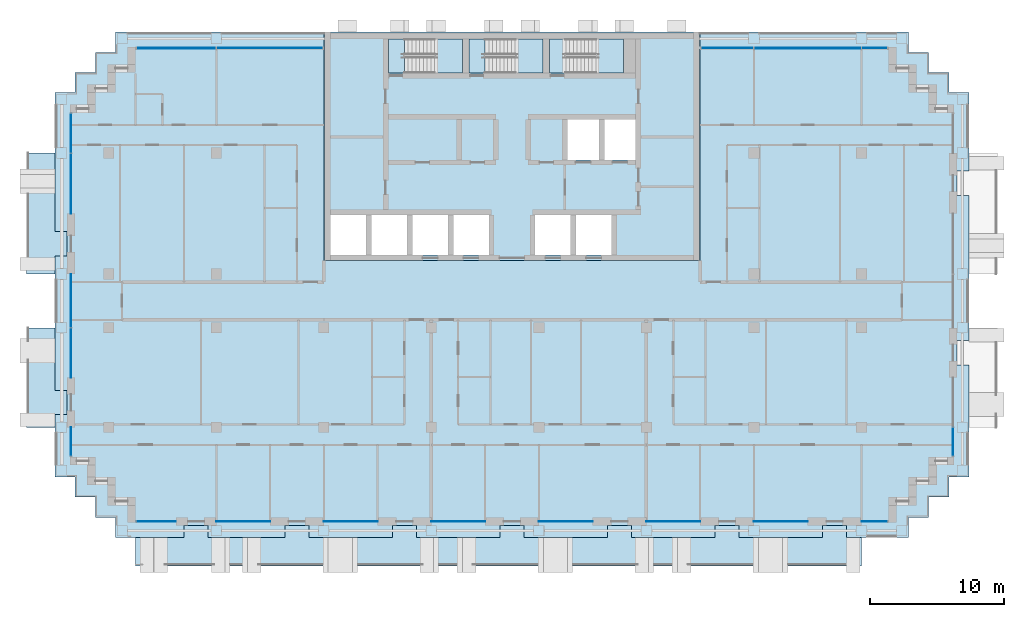
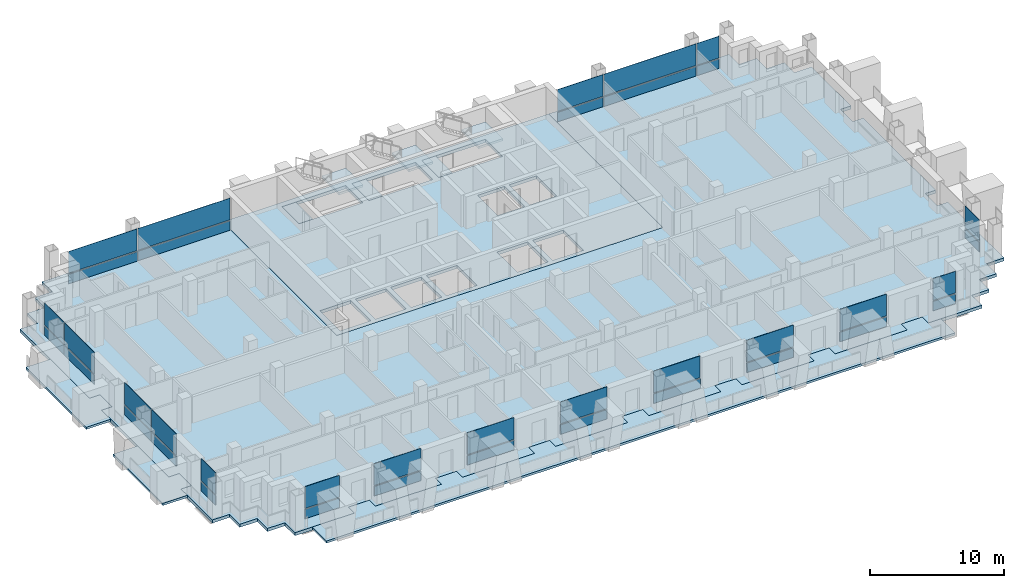
# One storey, part 6 of 16: 38 plates, 11 slabs, 17 elements without a shape of their own.
"""IFC4 building model written with IfcOpenShell, lengths in metres."""

from ifc_helpers import new_model, si_unit, direction, frame, origin, origin_2d, place, context, subcontext, project, spatial, polyline, rectangle, outline, extrude, material, layer, layer_set, type_object, element, aggregate, save


model = new_model("IFC4")

# Units and contexts
model_context = context("Model", 3, precision=1e-05, world=origin(), true_north=direction((0.0, 1.0)))
body_context = subcontext(model_context, "Body", "Model", "MODEL_VIEW")
ifc_project = project(units=[si_unit("LENGTHUNIT", "METRE"), si_unit("AREAUNIT", "SQUARE_METRE"), si_unit("VOLUMEUNIT", "CUBIC_METRE"), si_unit("PLANEANGLEUNIT", "RADIAN"), si_unit("MASSUNIT", "GRAM", prefix="KILO")], contexts=[model_context])

# Site, building, storey
site_placement = place(None, origin())
site = spatial("IfcSite", under=ifc_project, at=site_placement, CompositionType="ELEMENT")
building_placement = place(site_placement, origin())
building = spatial("IfcBuilding", under=site, at=building_placement, Name="Vidyagriha Tower", CompositionType="ELEMENT")
storey_placement = place(building_placement, frame((0.0, 0.0, 129.39990234375)))
storey = spatial("IfcBuildingStorey", under=building, at=storey_placement, Name="L33", CompositionType="ELEMENT", Elevation=129.39990234375)

# Curtain wall, plates
ifc_material_1 = material(Name="Aluminium and glass curtain wall", Category="aluminium")
curtain_wall_type = type_object("IfcCurtainWallType", Name="Dwelling skin unitised curtain wall", PredefinedType="USERDEFINED", material=ifc_material_1)
curtain_wall_1_placement = place(storey_placement, origin())
curtain_wall_1 = element("IfcCurtainWall", 1, at=curtain_wall_1_placement, inside=storey, type_object=curtain_wall_type, Name="CW1 dwelling skin", ObjectType="UNITISED", PredefinedType="USERDEFINED")
ifc_material_2 = material(Name="Glass dark ceramic-fritted spandrel", Category="glass")
ifc_layer_1 = layer(ifc_material_2, 0.0400390625)
ifc_layer_set_1 = layer_set([ifc_layer_1], Name="Glass dark ceramic-fritted spandrel")
plate_type_1 = type_object("IfcPlateType", Name="Ceramic-fritted spandrel panel", PredefinedType="CURTAIN_PANEL", material=ifc_layer_set_1)
plate_1_placement = place(storey_placement, frame((26.982421875, 18.800048828125, 0.0), z_axis=(0.0, 0.0, 1.0), x_axis=(-1.0, 0.0, 0.0)))
plate_1 = element("IfcPlate", 2, at=plate_1_placement, type_object=plate_type_1, Name="CW1 panel 1.1", PredefinedType="CURTAIN_PANEL", context=body_context, shape_type="SweptSolid", body=[
    extrude(rectangle(XDim=1.89501953125, YDim=0.0400390625, at=origin_2d()), origin(), (0.0, 0.0, 1.0), 0.85009765625),
])
plate_2_placement = place(storey_placement, frame((16.017578125, 18.800048828125, 0.0), z_axis=(0.0, 0.0, 1.0), x_axis=(-1.0, 0.0, 0.0)))
plate_2 = element("IfcPlate", 3, at=plate_2_placement, type_object=plate_type_1, Name="CW1 panel 3.1", PredefinedType="CURTAIN_PANEL", context=body_context, shape_type="SweptSolid", body=[
    extrude(rectangle(XDim=3.89501953125, YDim=0.0400390625, at=origin_2d()), origin(), (0.0, 0.0, 1.0), 0.85009765625),
])

# Curtain wall, plate
curtain_wall_2_placement = place(storey_placement, origin())
curtain_wall_2 = element("IfcCurtainWall", 4, at=curtain_wall_2_placement, inside=storey, type_object=curtain_wall_type, Name="CW1 dwelling skin", ObjectType="UNITISED", PredefinedType="USERDEFINED")
plate_3_placement = place(storey_placement, frame((-18.017578125, 18.800048828125, 0.0), z_axis=(0.0, 0.0, 1.0), x_axis=(-1.0, 0.0, 0.0)))
plate_3 = element("IfcPlate", 5, at=plate_3_placement, type_object=plate_type_1, Name="CW1 panel 1.1", PredefinedType="CURTAIN_PANEL", context=body_context, shape_type="SweptSolid", body=[
    extrude(rectangle(XDim=7.89501953125, YDim=0.0400390625, at=origin_2d()), origin(), (0.0, 0.0, 1.0), 0.85009765625),
])

# Curtain wall, plates
curtain_wall_3_placement = place(storey_placement, origin())
curtain_wall_3 = element("IfcCurtainWall", 6, at=curtain_wall_3_placement, inside=storey, type_object=curtain_wall_type, Name="CW1 dwelling skin", ObjectType="UNITISED", PredefinedType="USERDEFINED")
plate_4_placement = place(storey_placement, frame((-32.800048828125, 12.482421875, 0.0), z_axis=(0.0, 0.0, 1.0), x_axis=(0.0, -1.0, 0.0)))
plate_4 = element("IfcPlate", 7, at=plate_4_placement, type_object=plate_type_1, Name="CW1 panel 1.1", PredefinedType="CURTAIN_PANEL", context=body_context, shape_type="SweptSolid", body=[
    extrude(rectangle(XDim=2.89501953125, YDim=0.0400390625, at=origin_2d()), origin(), (0.0, 0.0, 1.0), 0.85009765625),
])
plate_5_placement = place(storey_placement, frame((-32.800048828125, 8.732421875, 0.0), z_axis=(0.0, 0.0, 1.0), x_axis=(0.0, -1.0, 0.0)))
plate_5 = element("IfcPlate", 8, at=plate_5_placement, type_object=plate_type_1, Name="CW1 panel 2.1", PredefinedType="CURTAIN_PANEL", context=body_context, shape_type="SweptSolid", body=[
    extrude(rectangle(XDim=4.465087890625, YDim=0.0400390625, at=origin_2d()), origin(), (0.0, 0.0, 1.0), 0.85009765625),
])

# Curtain wall, plate
curtain_wall_4_placement = place(storey_placement, origin())
curtain_wall_4 = element("IfcCurtainWall", 9, at=curtain_wall_4_placement, inside=storey, type_object=curtain_wall_type, Name="CW1 dwelling skin", ObjectType="UNITISED", PredefinedType="USERDEFINED")
plate_6_placement = place(storey_placement, frame((-32.800048828125, -10.465087890625, 0.0), z_axis=(0.0, 0.0, 1.0), x_axis=(0.0, -1.0, 0.0)))
plate_6 = element("IfcPlate", 10, at=plate_6_placement, type_object=plate_type_1, Name="CW1 panel 1.1", PredefinedType="CURTAIN_PANEL", context=body_context, shape_type="SweptSolid", body=[
    extrude(rectangle(XDim=2.1298828125, YDim=0.0400390625, at=origin_2d()), origin(), (0.0, 0.0, 1.0), 0.85009765625),
])

curtain_wall_5_placement = place(storey_placement, origin())
curtain_wall_5 = element("IfcCurtainWall", 11, at=curtain_wall_5_placement, inside=storey, type_object=curtain_wall_type, Name="CW1 dwelling skin", ObjectType="UNITISED", PredefinedType="USERDEFINED")
plate_7_placement = place(storey_placement, frame((-26.465087890625, -16.39990234375, 0.0)))
plate_7 = element("IfcPlate", 12, at=plate_7_placement, type_object=plate_type_1, Name="CW1 panel 1.1", PredefinedType="CURTAIN_PANEL", context=body_context, shape_type="SweptSolid", body=[
    extrude(rectangle(XDim=2.929931640625, YDim=0.0400390625, at=origin_2d()), origin(), (0.0, 0.0, 1.0), 0.85009765625),
])

curtain_wall_6_placement = place(storey_placement, origin())
curtain_wall_6 = element("IfcCurtainWall", 13, at=curtain_wall_6_placement, inside=storey, type_object=curtain_wall_type, Name="CW1 dwelling skin", ObjectType="UNITISED", PredefinedType="USERDEFINED")
plate_8_placement = place(storey_placement, frame((-12.0, -16.39990234375, 0.0)))
plate_8 = element("IfcPlate", 14, at=plate_8_placement, type_object=plate_type_1, Name="CW1 panel 1.1", PredefinedType="CURTAIN_PANEL", context=body_context, shape_type="SweptSolid", body=[
    extrude(rectangle(XDim=4.0, YDim=0.0400390625, at=origin_2d()), origin(), (0.0, 0.0, 1.0), 0.85009765625),
])

curtain_wall_7_placement = place(storey_placement, origin())
curtain_wall_7 = element("IfcCurtainWall", 15, at=curtain_wall_7_placement, inside=storey, type_object=curtain_wall_type, Name="CW1 dwelling skin", ObjectType="UNITISED", PredefinedType="USERDEFINED")
plate_9_placement = place(storey_placement, frame((4.0, -16.39990234375, 0.0)))
plate_9 = element("IfcPlate", 16, at=plate_9_placement, type_object=plate_type_1, Name="CW1 panel 1.1", PredefinedType="CURTAIN_PANEL", context=body_context, shape_type="SweptSolid", body=[
    extrude(rectangle(XDim=4.0, YDim=0.0400390625, at=origin_2d()), origin(), (0.0, 0.0, 1.0), 0.85009765625),
])

curtain_wall_8_placement = place(storey_placement, origin())
curtain_wall_8 = element("IfcCurtainWall", 17, at=curtain_wall_8_placement, inside=storey, type_object=curtain_wall_type, Name="CW1 dwelling skin", ObjectType="UNITISED", PredefinedType="USERDEFINED")
plate_10_placement = place(storey_placement, frame((20.0, -16.39990234375, 0.0)))
plate_10 = element("IfcPlate", 18, at=plate_10_placement, type_object=plate_type_1, Name="CW1 panel 1.1", PredefinedType="CURTAIN_PANEL", context=body_context, shape_type="SweptSolid", body=[
    extrude(rectangle(XDim=4.0, YDim=0.0400390625, at=origin_2d()), origin(), (0.0, 0.0, 1.0), 0.85009765625),
])

curtain_wall_9_placement = place(storey_placement, origin())
curtain_wall_9 = element("IfcCurtainWall", 19, at=curtain_wall_9_placement, inside=storey, type_object=curtain_wall_type, Name="CW1 dwelling skin", ObjectType="UNITISED", PredefinedType="USERDEFINED")
plate_11_placement = place(storey_placement, frame((26.965087890625, -16.39990234375, 0.0)))
plate_11 = element("IfcPlate", 20, at=plate_11_placement, type_object=plate_type_1, Name="CW1 panel 1.1", PredefinedType="CURTAIN_PANEL", context=body_context, shape_type="SweptSolid", body=[
    extrude(rectangle(XDim=1.929931640625, YDim=0.0400390625, at=origin_2d()), origin(), (0.0, 0.0, 1.0), 0.85009765625),
])

curtain_wall_10_placement = place(storey_placement, origin())
curtain_wall_10 = element("IfcCurtainWall", 21, at=curtain_wall_10_placement, inside=storey, type_object=curtain_wall_type, Name="CW1 dwelling skin", ObjectType="UNITISED", PredefinedType="USERDEFINED")
plate_12_placement = place(storey_placement, frame((32.800048828125, -10.482421875, 0.0), z_axis=(0.0, 0.0, 1.0), x_axis=(0.0, 1.0, 0.0)))
plate_12 = element("IfcPlate", 22, at=plate_12_placement, type_object=plate_type_1, Name="CW1 panel 1.1", PredefinedType="CURTAIN_PANEL", context=body_context, shape_type="SweptSolid", body=[
    extrude(rectangle(XDim=2.094970703125, YDim=0.0400390625, at=origin_2d()), origin(), (0.0, 0.0, 1.0), 0.85009765625),
])

# Slab
ifc_material_3 = material(Name="Concrete C60/75", Category="concrete")
ifc_layer_2 = layer(ifc_material_3, 0.280029296875)
ifc_layer_set_2 = layer_set([ifc_layer_2], Name="Concrete C60/75")
slab_type_1 = type_object("IfcSlabType", Name="Core floor slab 280 mm", PredefinedType="FLOOR", material=ifc_layer_set_2)
slab_1_placement = place(storey_placement, frame((0.0, 0.0, -0.27978515625)))
element("IfcSlab", 23, at=slab_1_placement, inside=storey, type_object=slab_type_1, Name="L33 core floor 1", PredefinedType="FLOOR", context=body_context, shape_type="SweptSolid", body=[
    extrude(outline(polyline([(-14.0, 3.0), (-14.0, 20.0), (14.0, 20.0), (14.0, 3.0), (-14.0, 3.0)]), holes=[polyline([(9.199951171875, 13.5), (6.86669921875, 13.5), (6.86669921875, 10.5), (9.199951171875, 10.5), (9.199951171875, 13.5)]), polyline([(4.0, 19.5), (2.800048828125, 19.5), (2.800048828125, 16.949951171875), (4.0, 16.949951171875), (8.300048828125, 16.949951171875), (8.300048828125, 19.5), (4.0, 19.5)]), polyline([(7.4111328125, 6.39990234375), (4.7666015625, 6.39990234375), (4.7666015625, 3.39990234375), (7.4111328125, 3.39990234375), (7.4111328125, 6.39990234375)]), polyline([(6.466796875, 13.5), (4.13330078125, 13.5), (4.13330078125, 10.5), (6.466796875, 10.5), (6.466796875, 13.5)]), polyline([(1.72216796875, 6.39990234375), (1.72216796875, 3.39990234375), (4.36669921875, 3.39990234375), (4.36669921875, 6.39990234375), (1.72216796875, 6.39990234375)]), polyline([(-2.0, 16.949951171875), (2.300048828125, 16.949951171875), (2.300048828125, 19.5), (-2.0, 19.5), (-3.199951171875, 19.5), (-3.199951171875, 16.949951171875), (-2.0, 16.949951171875)]), polyline([(-1.72216796875, 6.39990234375), (-4.36669921875, 6.39990234375), (-4.36669921875, 3.39990234375), (-1.72216796875, 3.39990234375), (-1.72216796875, 6.39990234375)]), polyline([(-8.0, 19.5), (-9.199951171875, 19.5), (-9.199951171875, 16.949951171875), (-8.0, 16.949951171875), (-3.699951171875, 16.949951171875), (-3.699951171875, 19.5), (-8.0, 19.5)]), polyline([(-4.7666015625, 6.39990234375), (-7.4111328125, 6.39990234375), (-7.4111328125, 3.39990234375), (-4.7666015625, 3.39990234375), (-4.7666015625, 6.39990234375)]), polyline([(-7.81103515625, 6.39990234375), (-10.45556640625, 6.39990234375), (-10.45556640625, 3.39990234375), (-7.81103515625, 3.39990234375), (-7.81103515625, 6.39990234375)]), polyline([(-13.5, 6.39990234375), (-13.5, 3.39990234375), (-10.855712890625, 3.39990234375), (-10.855712890625, 6.39990234375), (-13.5, 6.39990234375)])]), origin(), (0.0, 0.0, 1.0), 0.27978515625),
])

# Plate
ifc_material_4 = material(Name="Glass dark ceramic-fritted", Category="glass")
ifc_layer_3 = layer(ifc_material_4, 0.028076171875)
ifc_layer_set_3 = layer_set([ifc_layer_3], Name="Glass dark ceramic-fritted")
plate_type_2 = type_object("IfcPlateType", Name="Dark ceramic-fritted vision glass panel", PredefinedType="CURTAIN_PANEL", material=ifc_layer_set_3)
plate_13_placement = place(storey_placement, frame((26.982421875, 18.800048828125, 0.9501953125), z_axis=(0.0, 0.0, 1.0), x_axis=(-1.0, 0.0, 0.0)))
plate_13 = element("IfcPlate", 24, at=plate_13_placement, type_object=plate_type_2, Name="CW1 panel 1.2", PredefinedType="CURTAIN_PANEL", context=body_context, shape_type="SweptSolid", body=[
    extrude(rectangle(XDim=1.89501953125, YDim=0.028076171875, at=origin_2d()), origin(), (0.0, 0.0, 1.0), 1.969970703125),
])

plate_14_placement = place(storey_placement, frame((22.0, 18.800048828125, 0.9501953125), z_axis=(0.0, 0.0, 1.0), x_axis=(-1.0, 0.0, 0.0)))
plate_14 = element("IfcPlate", 25, at=plate_14_placement, type_object=plate_type_2, Name="CW1 panel 2.2", PredefinedType="CURTAIN_PANEL", context=body_context, shape_type="SweptSolid", body=[
    extrude(rectangle(XDim=7.929931640625, YDim=0.028076171875, at=origin_2d()), origin(), (0.0, 0.0, 1.0), 1.969970703125),
])

plate_15_placement = place(storey_placement, frame((16.017578125, 18.800048828125, 0.9501953125), z_axis=(0.0, 0.0, 1.0), x_axis=(-1.0, 0.0, 0.0)))
plate_15 = element("IfcPlate", 26, at=plate_15_placement, type_object=plate_type_2, Name="CW1 panel 3.2", PredefinedType="CURTAIN_PANEL", context=body_context, shape_type="SweptSolid", body=[
    extrude(rectangle(XDim=3.89501953125, YDim=0.028076171875, at=origin_2d()), origin(), (0.0, 0.0, 1.0), 1.969970703125),
])

plate_16_placement = place(storey_placement, frame((-18.017578125, 18.800048828125, 0.9501953125), z_axis=(0.0, 0.0, 1.0), x_axis=(-1.0, 0.0, 0.0)))
plate_16 = element("IfcPlate", 27, at=plate_16_placement, type_object=plate_type_2, Name="CW1 panel 1.2", PredefinedType="CURTAIN_PANEL", context=body_context, shape_type="SweptSolid", body=[
    extrude(rectangle(XDim=7.89501953125, YDim=0.028076171875, at=origin_2d()), origin(), (0.0, 0.0, 1.0), 1.969970703125),
])

plate_17_placement = place(storey_placement, frame((-24.982421875, 18.800048828125, 0.9501953125), z_axis=(0.0, 0.0, 1.0), x_axis=(-1.0, 0.0, 0.0)))
plate_17 = element("IfcPlate", 28, at=plate_17_placement, type_object=plate_type_2, Name="CW1 panel 2.2", PredefinedType="CURTAIN_PANEL", context=body_context, shape_type="SweptSolid", body=[
    extrude(rectangle(XDim=5.89501953125, YDim=0.028076171875, at=origin_2d()), origin(), (0.0, 0.0, 1.0), 1.969970703125),
])

plate_18_placement = place(storey_placement, frame((-32.800048828125, 12.482421875, 0.9501953125), z_axis=(0.0, 0.0, 1.0), x_axis=(0.0, -1.0, 0.0)))
plate_18 = element("IfcPlate", 29, at=plate_18_placement, type_object=plate_type_2, Name="CW1 panel 1.2", PredefinedType="CURTAIN_PANEL", context=body_context, shape_type="SweptSolid", body=[
    extrude(rectangle(XDim=2.89501953125, YDim=0.028076171875, at=origin_2d()), origin(), (0.0, 0.0, 1.0), 1.969970703125),
])

plate_19_placement = place(storey_placement, frame((-32.800048828125, 8.732421875, 0.9501953125), z_axis=(0.0, 0.0, 1.0), x_axis=(0.0, -1.0, 0.0)))
plate_19 = element("IfcPlate", 30, at=plate_19_placement, type_object=plate_type_2, Name="CW1 panel 2.2", PredefinedType="CURTAIN_PANEL", context=body_context, shape_type="SweptSolid", body=[
    extrude(rectangle(XDim=4.465087890625, YDim=0.028076171875, at=origin_2d()), origin(), (0.0, 0.0, 1.0), 1.969970703125),
])

aggregate(curtain_wall_3, [plate_4, plate_18, plate_5, plate_19])

# Curtain wall, plates
curtain_wall_11_placement = place(storey_placement, origin())
curtain_wall_11 = element("IfcCurtainWall", 31, at=curtain_wall_11_placement, inside=storey, type_object=curtain_wall_type, Name="CW1 dwelling skin", ObjectType="UNITISED", PredefinedType="USERDEFINED")
plate_20_placement = place(storey_placement, frame((-32.800048828125, 0.017578125, 0.9501953125), z_axis=(0.0, 0.0, 1.0), x_axis=(0.0, -1.0, 0.0)))
plate_20 = element("IfcPlate", 32, at=plate_20_placement, type_object=plate_type_2, Name="CW1 panel 1.2", PredefinedType="CURTAIN_PANEL", context=body_context, shape_type="SweptSolid", body=[
    extrude(rectangle(XDim=3.965087890625, YDim=0.028076171875, at=origin_2d()), origin(), (0.0, 0.0, 1.0), 1.969970703125),
])
plate_21_placement = place(storey_placement, frame((-32.800048828125, -3.867431640625, 0.9501953125), z_axis=(0.0, 0.0, 1.0), x_axis=(0.0, -1.0, 0.0)))
plate_21 = element("IfcPlate", 33, at=plate_21_placement, type_object=plate_type_2, Name="CW1 panel 2.2", PredefinedType="CURTAIN_PANEL", context=body_context, shape_type="SweptSolid", body=[
    extrude(rectangle(XDim=3.6650390625, YDim=0.028076171875, at=origin_2d()), origin(), (0.0, 0.0, 1.0), 1.969970703125),
])

# Plate
plate_22_placement = place(storey_placement, frame((-32.800048828125, -10.465087890625, 0.9501953125), z_axis=(0.0, 0.0, 1.0), x_axis=(0.0, -1.0, 0.0)))
plate_22 = element("IfcPlate", 34, at=plate_22_placement, type_object=plate_type_2, Name="CW1 panel 1.2", PredefinedType="CURTAIN_PANEL", context=body_context, shape_type="SweptSolid", body=[
    extrude(rectangle(XDim=2.1298828125, YDim=0.028076171875, at=origin_2d()), origin(), (0.0, 0.0, 1.0), 1.969970703125),
])

aggregate(curtain_wall_4, [plate_6, plate_22])

plate_23_placement = place(storey_placement, frame((-26.465087890625, -16.39990234375, 0.9501953125)))
plate_23 = element("IfcPlate", 35, at=plate_23_placement, type_object=plate_type_2, Name="CW1 panel 1.2", PredefinedType="CURTAIN_PANEL", context=body_context, shape_type="SweptSolid", body=[
    extrude(rectangle(XDim=2.929931640625, YDim=0.028076171875, at=origin_2d()), origin(), (0.0, 0.0, 1.0), 1.969970703125),
])

aggregate(curtain_wall_5, [plate_7, plate_23])

# Curtain wall, plate
curtain_wall_12_placement = place(storey_placement, origin())
curtain_wall_12 = element("IfcCurtainWall", 36, at=curtain_wall_12_placement, inside=storey, type_object=curtain_wall_type, Name="CW1 dwelling skin", ObjectType="UNITISED", PredefinedType="USERDEFINED")
plate_24_placement = place(storey_placement, frame((-20.0, -16.39990234375, 0.9501953125)))
plate_24 = element("IfcPlate", 37, at=plate_24_placement, type_object=plate_type_2, Name="CW1 panel 1.2", PredefinedType="CURTAIN_PANEL", context=body_context, shape_type="SweptSolid", body=[
    extrude(rectangle(XDim=4.0, YDim=0.028076171875, at=origin_2d()), origin(), (0.0, 0.0, 1.0), 1.969970703125),
])

# Plate
plate_25_placement = place(storey_placement, frame((-12.0, -16.39990234375, 0.9501953125)))
plate_25 = element("IfcPlate", 38, at=plate_25_placement, type_object=plate_type_2, Name="CW1 panel 1.2", PredefinedType="CURTAIN_PANEL", context=body_context, shape_type="SweptSolid", body=[
    extrude(rectangle(XDim=4.0, YDim=0.028076171875, at=origin_2d()), origin(), (0.0, 0.0, 1.0), 1.969970703125),
])

aggregate(curtain_wall_6, [plate_8, plate_25])

# Curtain wall, plate
curtain_wall_13_placement = place(storey_placement, origin())
curtain_wall_13 = element("IfcCurtainWall", 39, at=curtain_wall_13_placement, inside=storey, type_object=curtain_wall_type, Name="CW1 dwelling skin", ObjectType="UNITISED", PredefinedType="USERDEFINED")
plate_26_placement = place(storey_placement, frame((-4.0, -16.39990234375, 0.9501953125)))
plate_26 = element("IfcPlate", 40, at=plate_26_placement, type_object=plate_type_2, Name="CW1 panel 1.2", PredefinedType="CURTAIN_PANEL", context=body_context, shape_type="SweptSolid", body=[
    extrude(rectangle(XDim=4.0, YDim=0.028076171875, at=origin_2d()), origin(), (0.0, 0.0, 1.0), 1.969970703125),
])

# Plate
plate_27_placement = place(storey_placement, frame((4.0, -16.39990234375, 0.9501953125)))
plate_27 = element("IfcPlate", 41, at=plate_27_placement, type_object=plate_type_2, Name="CW1 panel 1.2", PredefinedType="CURTAIN_PANEL", context=body_context, shape_type="SweptSolid", body=[
    extrude(rectangle(XDim=4.0, YDim=0.028076171875, at=origin_2d()), origin(), (0.0, 0.0, 1.0), 1.969970703125),
])

aggregate(curtain_wall_7, [plate_9, plate_27])

# Curtain wall, plate
curtain_wall_14_placement = place(storey_placement, origin())
curtain_wall_14 = element("IfcCurtainWall", 42, at=curtain_wall_14_placement, inside=storey, type_object=curtain_wall_type, Name="CW1 dwelling skin", ObjectType="UNITISED", PredefinedType="USERDEFINED")
plate_28_placement = place(storey_placement, frame((12.0, -16.39990234375, 0.9501953125)))
plate_28 = element("IfcPlate", 43, at=plate_28_placement, type_object=plate_type_2, Name="CW1 panel 1.2", PredefinedType="CURTAIN_PANEL", context=body_context, shape_type="SweptSolid", body=[
    extrude(rectangle(XDim=4.0, YDim=0.028076171875, at=origin_2d()), origin(), (0.0, 0.0, 1.0), 1.969970703125),
])

# Plate
plate_29_placement = place(storey_placement, frame((20.0, -16.39990234375, 0.9501953125)))
plate_29 = element("IfcPlate", 44, at=plate_29_placement, type_object=plate_type_2, Name="CW1 panel 1.2", PredefinedType="CURTAIN_PANEL", context=body_context, shape_type="SweptSolid", body=[
    extrude(rectangle(XDim=4.0, YDim=0.028076171875, at=origin_2d()), origin(), (0.0, 0.0, 1.0), 1.969970703125),
])

aggregate(curtain_wall_8, [plate_10, plate_29])

plate_30_placement = place(storey_placement, frame((26.965087890625, -16.39990234375, 0.9501953125)))
plate_30 = element("IfcPlate", 45, at=plate_30_placement, type_object=plate_type_2, Name="CW1 panel 1.2", PredefinedType="CURTAIN_PANEL", context=body_context, shape_type="SweptSolid", body=[
    extrude(rectangle(XDim=1.929931640625, YDim=0.028076171875, at=origin_2d()), origin(), (0.0, 0.0, 1.0), 1.969970703125),
])

aggregate(curtain_wall_9, [plate_11, plate_30])

plate_31_placement = place(storey_placement, frame((32.800048828125, -10.482421875, 0.9501953125), z_axis=(0.0, 0.0, 1.0), x_axis=(0.0, 1.0, 0.0)))
plate_31 = element("IfcPlate", 46, at=plate_31_placement, type_object=plate_type_2, Name="CW1 panel 1.2", PredefinedType="CURTAIN_PANEL", context=body_context, shape_type="SweptSolid", body=[
    extrude(rectangle(XDim=2.094970703125, YDim=0.028076171875, at=origin_2d()), origin(), (0.0, 0.0, 1.0), 1.969970703125),
])

aggregate(curtain_wall_10, [plate_12, plate_31])

# Slabs
ifc_material_5 = material(Name="Concrete C40/50", Category="concrete")
ifc_layer_4 = layer(ifc_material_5, 0.280029296875)
ifc_layer_set_4 = layer_set([ifc_layer_4], Name="Concrete C40/50")
slab_type_2 = type_object("IfcSlabType", Name="Exit stair floor landing 280 mm", PredefinedType="LANDING", material=ifc_layer_set_4)
slab_2_placement = place(storey_placement, frame((0.0, 0.0, -0.27978515625)))
element("IfcSlab", 47, at=slab_2_placement, inside=storey, type_object=slab_type_2, Name="ST1 floor landing L33", PredefinedType="LANDING", context=body_context, shape_type="SweptSolid", body=[
    extrude(outline(polyline([(-9.199951171875, 16.949951171875), (-8.0, 16.949951171875), (-8.0, 19.5), (-9.199951171875, 19.5), (-9.199951171875, 16.949951171875)])), origin(), (0.0, 0.0, 1.0), 0.27978515625),
])
slab_3_placement = place(storey_placement, frame((0.0, 0.0, -0.27978515625)))
element("IfcSlab", 48, at=slab_3_placement, inside=storey, type_object=slab_type_2, Name="ST2 floor landing L33", PredefinedType="LANDING", context=body_context, shape_type="SweptSolid", body=[
    extrude(outline(polyline([(-3.199951171875, 16.949951171875), (-2.0, 16.949951171875), (-2.0, 19.5), (-3.199951171875, 19.5), (-3.199951171875, 16.949951171875)])), origin(), (0.0, 0.0, 1.0), 0.27978515625),
])
slab_4_placement = place(storey_placement, frame((0.0, 0.0, -0.27978515625)))
element("IfcSlab", 49, at=slab_4_placement, inside=storey, type_object=slab_type_2, Name="ST3 floor landing L33", PredefinedType="LANDING", context=body_context, shape_type="SweptSolid", body=[
    extrude(outline(polyline([(2.800048828125, 16.949951171875), (4.0, 16.949951171875), (4.0, 19.5), (2.800048828125, 19.5), (2.800048828125, 16.949951171875)])), origin(), (0.0, 0.0, 1.0), 0.27978515625),
])

# Stair, slab
ifc_material_6 = material(Name="Concrete C40/50", Category="concrete")
stair_type = type_object("IfcStairType", Name="Exit stair, half-turn, precast flights", PredefinedType="HALF_TURN_STAIR", material=ifc_material_6)
stair_1_placement = place(storey_placement, origin())
stair_1 = element("IfcStair", 50, at=stair_1_placement, inside=storey, type_object=stair_type, Name="L33 Exit Stair ST1", PredefinedType="HALF_TURN_STAIR")
ifc_material_7 = material(Name="Concrete C40/50", Category="concrete")
ifc_layer_5 = layer(ifc_material_7, 0.199951171875)
ifc_layer_set_5 = layer_set([ifc_layer_5], Name="Concrete C40/50")
slab_type_3 = type_object("IfcSlabType", Name="Exit stair landing 200 mm", PredefinedType="LANDING", material=ifc_layer_set_5)
slab_5_placement = place(storey_placement, frame((0.0, 0.0, 1.400146484375)))
slab_5 = element("IfcSlab", 51, at=slab_5_placement, type_object=slab_type_3, Name="ST1 landing 1", PredefinedType="LANDING", context=body_context, shape_type="SweptSolid", body=[
    extrude(outline(polyline([(-5.760009765625, 16.949951171875), (-3.699951171875, 16.949951171875), (-3.699951171875, 19.5), (-5.760009765625, 19.5), (-5.760009765625, 16.949951171875)])), origin(), (0.0, 0.0, 1.0), 0.199951171875),
])
aggregate(stair_1, [slab_5])

stair_2_placement = place(storey_placement, origin())
stair_2 = element("IfcStair", 52, at=stair_2_placement, inside=storey, type_object=stair_type, Name="L33 Exit Stair ST2", PredefinedType="HALF_TURN_STAIR")
slab_6_placement = place(storey_placement, frame((0.0, 0.0, 1.400146484375)))
slab_6 = element("IfcSlab", 53, at=slab_6_placement, type_object=slab_type_3, Name="ST2 landing 1", PredefinedType="LANDING", context=body_context, shape_type="SweptSolid", body=[
    extrude(outline(polyline([(0.239990234375, 16.949951171875), (2.300048828125, 16.949951171875), (2.300048828125, 19.5), (0.239990234375, 19.5), (0.239990234375, 16.949951171875)])), origin(), (0.0, 0.0, 1.0), 0.199951171875),
])
aggregate(stair_2, [slab_6])

stair_3_placement = place(storey_placement, origin())
stair_3 = element("IfcStair", 54, at=stair_3_placement, inside=storey, type_object=stair_type, Name="L33 Exit Stair ST3", PredefinedType="HALF_TURN_STAIR")
slab_7_placement = place(storey_placement, frame((0.0, 0.0, 1.400146484375)))
slab_7 = element("IfcSlab", 55, at=slab_7_placement, type_object=slab_type_3, Name="ST3 landing 1", PredefinedType="LANDING", context=body_context, shape_type="SweptSolid", body=[
    extrude(outline(polyline([(6.239990234375, 16.949951171875), (8.300048828125, 16.949951171875), (8.300048828125, 19.5), (6.239990234375, 19.5), (6.239990234375, 16.949951171875)])), origin(), (0.0, 0.0, 1.0), 0.199951171875),
])
aggregate(stair_3, [slab_7])

# Plate
ifc_material_8 = material(Name="Aluminium black anodised", Category="aluminium")
ifc_layer_6 = layer(ifc_material_8, 0.06005859375)
ifc_layer_set_6 = layer_set([ifc_layer_6], Name="Aluminium black anodised")
plate_type_3 = type_object("IfcPlateType", Name="Operable black-metal vent panel", PredefinedType="CURTAIN_PANEL", material=ifc_layer_set_6)
plate_32_placement = place(storey_placement, frame((22.0, 18.800048828125, 0.0), z_axis=(0.0, 0.0, 1.0), x_axis=(-1.0, 0.0, 0.0)))
plate_32 = element("IfcPlate", 56, at=plate_32_placement, type_object=plate_type_3, Name="CW1 panel 2.1", PredefinedType="CURTAIN_PANEL", context=body_context, shape_type="SweptSolid", body=[
    extrude(rectangle(XDim=7.929931640625, YDim=0.06005859375, at=origin_2d()), origin(), (0.0, 0.0, 1.0), 0.85009765625),
])

aggregate(curtain_wall_1, [plate_1, plate_13, plate_32, plate_14, plate_2, plate_15])

plate_33_placement = place(storey_placement, frame((-24.982421875, 18.800048828125, 0.0), z_axis=(0.0, 0.0, 1.0), x_axis=(-1.0, 0.0, 0.0)))
plate_33 = element("IfcPlate", 57, at=plate_33_placement, type_object=plate_type_3, Name="CW1 panel 2.1", PredefinedType="CURTAIN_PANEL", context=body_context, shape_type="SweptSolid", body=[
    extrude(rectangle(XDim=5.89501953125, YDim=0.06005859375, at=origin_2d()), origin(), (0.0, 0.0, 1.0), 0.85009765625),
])

aggregate(curtain_wall_2, [plate_3, plate_16, plate_33, plate_17])

plate_34_placement = place(storey_placement, frame((-32.800048828125, 0.017578125, 0.0), z_axis=(0.0, 0.0, 1.0), x_axis=(0.0, -1.0, 0.0)))
plate_34 = element("IfcPlate", 58, at=plate_34_placement, type_object=plate_type_3, Name="CW1 panel 1.1", PredefinedType="CURTAIN_PANEL", context=body_context, shape_type="SweptSolid", body=[
    extrude(rectangle(XDim=3.965087890625, YDim=0.06005859375, at=origin_2d()), origin(), (0.0, 0.0, 1.0), 0.85009765625),
])

plate_35_placement = place(storey_placement, frame((-32.800048828125, -3.867431640625, 0.0), z_axis=(0.0, 0.0, 1.0), x_axis=(0.0, -1.0, 0.0)))
plate_35 = element("IfcPlate", 59, at=plate_35_placement, type_object=plate_type_3, Name="CW1 panel 2.1", PredefinedType="CURTAIN_PANEL", context=body_context, shape_type="SweptSolid", body=[
    extrude(rectangle(XDim=3.6650390625, YDim=0.06005859375, at=origin_2d()), origin(), (0.0, 0.0, 1.0), 0.85009765625),
])

aggregate(curtain_wall_11, [plate_34, plate_20, plate_35, plate_21])

plate_36_placement = place(storey_placement, frame((-20.0, -16.39990234375, 0.0)))
plate_36 = element("IfcPlate", 60, at=plate_36_placement, type_object=plate_type_3, Name="CW1 panel 1.1", PredefinedType="CURTAIN_PANEL", context=body_context, shape_type="SweptSolid", body=[
    extrude(rectangle(XDim=4.0, YDim=0.06005859375, at=origin_2d()), origin(), (0.0, 0.0, 1.0), 0.85009765625),
])

aggregate(curtain_wall_12, [plate_36, plate_24])

plate_37_placement = place(storey_placement, frame((-4.0, -16.39990234375, 0.0)))
plate_37 = element("IfcPlate", 61, at=plate_37_placement, type_object=plate_type_3, Name="CW1 panel 1.1", PredefinedType="CURTAIN_PANEL", context=body_context, shape_type="SweptSolid", body=[
    extrude(rectangle(XDim=4.0, YDim=0.06005859375, at=origin_2d()), origin(), (0.0, 0.0, 1.0), 0.85009765625),
])

aggregate(curtain_wall_13, [plate_37, plate_26])

plate_38_placement = place(storey_placement, frame((12.0, -16.39990234375, 0.0)))
plate_38 = element("IfcPlate", 62, at=plate_38_placement, type_object=plate_type_3, Name="CW1 panel 1.1", PredefinedType="CURTAIN_PANEL", context=body_context, shape_type="SweptSolid", body=[
    extrude(rectangle(XDim=4.0, YDim=0.06005859375, at=origin_2d()), origin(), (0.0, 0.0, 1.0), 0.85009765625),
])

aggregate(curtain_wall_14, [plate_38, plate_28])

# Slabs
ifc_material_9 = material(Name="Concrete C50/60", Category="concrete")
ifc_layer_7 = layer(ifc_material_9, 0.280029296875)
ifc_layer_set_7 = layer_set([ifc_layer_7], Name="Concrete C50/60")
slab_type_4 = type_object("IfcSlabType", Name="Post-tensioned flat plate 280", PredefinedType="FLOOR", material=ifc_layer_set_7)
slab_8_placement = place(storey_placement, frame((0.0, 0.0, -0.27978515625)))
element("IfcSlab", 63, at=slab_8_placement, inside=storey, type_object=slab_type_4, Name="st-slab-L33-1", PredefinedType="FLOOR", context=body_context, shape_type="SweptSolid", body=[
    extrude(outline(polyline([(32.5, -14.60009765625), (31.0, -14.60009765625), (31.0, -16.10009765625), (29.5, -16.10009765625), (29.5, -17.60009765625), (24.89990234375, -17.60009765625), (24.89990234375, -16.699951171875), (23.10009765625, -16.699951171875), (23.10009765625, -17.60009765625), (16.89990234375, -17.60009765625), (16.89990234375, -16.699951171875), (15.10009765625, -16.699951171875), (15.10009765625, -17.60009765625), (8.89990234375, -17.60009765625), (8.89990234375, -16.699951171875), (7.10009765625, -16.699951171875), (7.10009765625, -17.60009765625), (0.89990234375, -17.60009765625), (0.89990234375, -16.699951171875), (-0.89990234375, -16.699951171875), (-0.89990234375, -17.60009765625), (-7.10009765625, -17.60009765625), (-7.10009765625, -16.699951171875), (-8.89990234375, -16.699951171875), (-8.89990234375, -17.60009765625), (-15.10009765625, -17.60009765625), (-15.10009765625, -16.699951171875), (-16.89990234375, -16.699951171875), (-16.89990234375, -17.60009765625), (-22.60009765625, -17.60009765625), (-22.60009765625, -16.699951171875), (-24.39990234375, -16.699951171875), (-24.39990234375, -17.60009765625), (-29.5, -17.60009765625), (-29.5, -16.10009765625), (-31.0, -16.10009765625), (-31.0, -14.60009765625), (-32.5, -14.60009765625), (-32.5, -13.10009765625), (-34.0, -13.10009765625), (-34.0, -8.449951171875), (-33.10009765625, -8.449951171875), (-33.10009765625, -6.64990234375), (-34.0, -6.64990234375), (-34.0, 3.35009765625), (-33.10009765625, 3.35009765625), (-33.10009765625, 5.14990234375), (-34.0, 5.14990234375), (-34.0, 15.5), (-32.5, 15.5), (-32.5, 17.0), (-31.0, 17.0), (-31.0, 18.5), (-29.5, 18.5), (-29.5, 20.0), (-14.0, 20.0), (-14.0, 3.0), (14.0, 3.0), (14.0, 20.0), (29.5, 20.0), (29.5, 18.5), (31.0, 18.5), (31.0, 17.0), (32.5, 17.0), (32.5, 15.5), (34.0, 15.5), (34.0, 9.64990234375), (33.10009765625, 9.64990234375), (33.10009765625, 7.85009765625), (34.0, 7.85009765625), (34.0, -2.949951171875), (33.10009765625, -2.949951171875), (33.10009765625, -4.75), (34.0, -4.75), (34.0, -13.10009765625), (32.5, -13.10009765625), (32.5, -14.60009765625)])), origin(), (0.0, 0.0, 1.0), 0.27978515625),
])
ifc_material_10 = material(Name="Precast concrete C40/50", Category="concrete")
ifc_layer_8 = layer(ifc_material_10, 0.199951171875)
ifc_layer_set_8 = layer_set([ifc_layer_8], Name="Precast concrete C40/50")
slab_type_5 = type_object("IfcSlabType", Name="Precast balcony slab 200", PredefinedType="USERDEFINED", material=ifc_layer_set_8)
slab_9_placement = place(storey_placement, frame((0.0, 0.0, -0.199951171875)))
element("IfcSlab", 64, at=slab_9_placement, inside=storey, type_object=slab_type_5, Name="Balcony slab L33 R16.1-1", ObjectType="BALCONY", PredefinedType="USERDEFINED", context=body_context, shape_type="SweptSolid", body=[
    extrude(outline(polyline([(-33.10009765625, 3.35009765625), (-33.10009765625, 5.14990234375), (-34.0, 5.14990234375), (-34.0, 11.0), (-36.10009765625, 11.0), (-36.10009765625, 2.0), (-34.0, 2.0), (-34.0, 3.35009765625), (-33.10009765625, 3.35009765625)])), origin(), (0.0, 0.0, 1.0), 0.199951171875),
])
slab_10_placement = place(storey_placement, frame((0.0, 0.0, -0.199951171875)))
element("IfcSlab", 65, at=slab_10_placement, inside=storey, type_object=slab_type_5, Name="Balcony slab L33 R16.2-2", ObjectType="BALCONY", PredefinedType="USERDEFINED", context=body_context, shape_type="SweptSolid", body=[
    extrude(outline(polyline([(-33.10009765625, -8.449951171875), (-33.10009765625, -6.64990234375), (-34.0, -6.64990234375), (-34.0, -2.0), (-36.10009765625, -2.0), (-36.10009765625, -9.39990234375), (-34.0, -9.39990234375), (-34.0, -8.449951171875), (-33.10009765625, -8.449951171875)])), origin(), (0.0, 0.0, 1.0), 0.199951171875),
])
slab_11_placement = place(storey_placement, frame((0.0, 0.0, -0.199951171875)))
element("IfcSlab", 66, at=slab_11_placement, inside=storey, type_object=slab_type_5, Name="Balcony slab L33 R23.1-7", ObjectType="BALCONY", PredefinedType="USERDEFINED", context=body_context, shape_type="SweptSolid", body=[
    extrude(outline(polyline([(-22.60009765625, -16.699951171875), (-24.39990234375, -16.699951171875), (-24.39990234375, -17.60009765625), (-28.0, -17.60009765625), (-28.0, -19.699951171875), (26.0, -19.699951171875), (26.0, -17.60009765625), (24.89990234375, -17.60009765625), (24.89990234375, -16.699951171875), (23.10009765625, -16.699951171875), (23.10009765625, -17.60009765625), (16.89990234375, -17.60009765625), (16.89990234375, -16.699951171875), (15.10009765625, -16.699951171875), (15.10009765625, -17.60009765625), (8.89990234375, -17.60009765625), (8.89990234375, -16.699951171875), (7.10009765625, -16.699951171875), (7.10009765625, -17.60009765625), (0.89990234375, -17.60009765625), (0.89990234375, -16.699951171875), (-0.89990234375, -16.699951171875), (-0.89990234375, -17.60009765625), (-7.10009765625, -17.60009765625), (-7.10009765625, -16.699951171875), (-8.89990234375, -16.699951171875), (-8.89990234375, -17.60009765625), (-15.10009765625, -17.60009765625), (-15.10009765625, -16.699951171875), (-16.89990234375, -16.699951171875), (-16.89990234375, -17.60009765625), (-22.60009765625, -17.60009765625), (-22.60009765625, -16.699951171875)])), origin(), (0.0, 0.0, 1.0), 0.199951171875),
])

save(model, "model.ifc")
